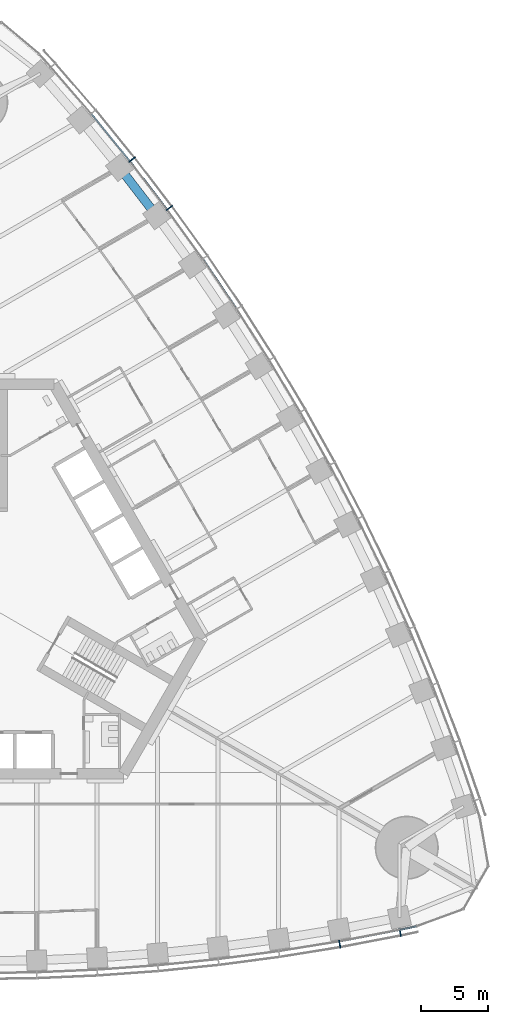
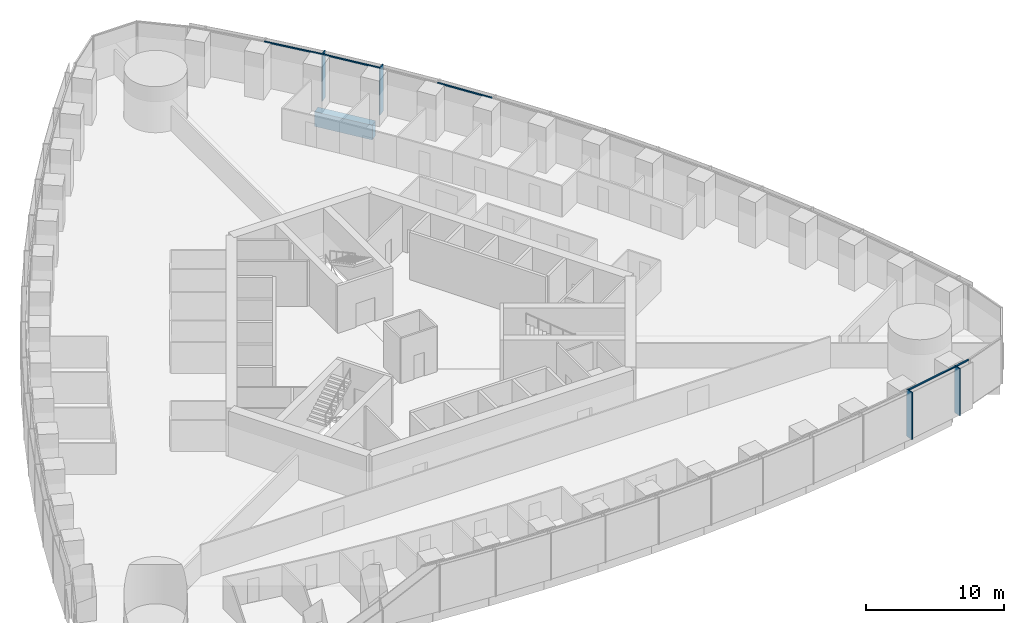
# One storey, part 5 of 18: 9 members, 1 beam, 2 elements without a shape of their own.
"""IFC4 building model written with IfcOpenShell, lengths in metres."""

import ifcopenshell
import ifcopenshell.guid

model = None  # the IFC model being written
_history = None  # IfcOwnerHistory: only IFC2X3 demands one
_inside = {}  # id of a spatial element -> (the spatial element, [elements in it])
_under = {}  # id of a project, library or spatial element -> (it, [spatial elements below it])
_declared = {}  # id of a project -> (the project, [libraries it declares])
_typed = {}  # id of a type object -> (the type object, [elements of that type])
_made_of = {}  # id of a material, layer set ... -> (it, [elements and type objects made of it])


def new_model(schema):
    """Start an empty IFC model of exactly this schema.

    Asked for "IFC4X3", IfcOpenShell would pick the latest addendum, in which some entities
    have other attributes; the version numbers below select the first issue.
    IFC2X3 requires an IfcOwnerHistory on every rooted entity: one is made here for all.
    """
    global model, _history
    if schema == "IFC4X3":
        model = ifcopenshell.file(schema_version=(4, 3, 0, 0))
    else:
        model = ifcopenshell.file(schema=schema)
    _inside.clear()
    _under.clear()
    _declared.clear()
    _typed.clear()
    _made_of.clear()
    _history = None
    if model.schema == "IFC2X3":
        org = make("IfcOrganization", Name="unknown")
        user = make(
            "IfcPersonAndOrganization",
            ThePerson=make("IfcPerson", FamilyName="unknown"),
            TheOrganization=org,
        )
        app = make(
            "IfcApplication",
            ApplicationDeveloper=org,
            Version="unknown",
            ApplicationFullName="unknown",
            ApplicationIdentifier="unknown",
        )
        _history = make(
            "IfcOwnerHistory",
            OwningUser=user,
            OwningApplication=app,
            ChangeAction="ADDED",
            CreationDate=0,
        )
    return model


def make(cls, **values):
    """One entity of the class cls with the attributes given. An attribute that is None is left unset."""
    return model.create_entity(
        cls, **{name: value for name, value in values.items() if value is not None}
    )


def rooted(cls, **values):
    """An entity with a GlobalId (a new one), such as an element, a storey or a relation."""
    return make(cls, GlobalId=ifcopenshell.guid.new(), OwnerHistory=_history, **values)


def si_unit(unit_type, name, prefix=None):
    """IfcSIUnit, for example si_unit("LENGTHUNIT", "METRE", prefix="MILLI")."""
    return make("IfcSIUnit", UnitType=unit_type, Prefix=prefix, Name=name)


def assignment(units):
    """IfcUnitAssignment: the units of a project."""
    return None if units is None else make("IfcUnitAssignment", Units=units)


def point(xyz):
    """IfcCartesianPoint."""
    return None if xyz is None else make("IfcCartesianPoint", Coordinates=xyz)


def direction(xyz):
    """IfcDirection."""
    return None if xyz is None else make("IfcDirection", DirectionRatios=xyz)


def frame(location, z_axis=None, x_axis=None):
    """IfcAxis2Placement3D, a coordinate frame: its origin and axes. An axis left out is left unset."""
    return make(
        "IfcAxis2Placement3D",
        Location=point(location),
        Axis=direction(z_axis),
        RefDirection=direction(x_axis),
    )


def frame_2d(location, x_axis=None):
    """IfcAxis2Placement2D, a coordinate frame in the plane: its origin and x axis."""
    return make(
        "IfcAxis2Placement2D", Location=point(location), RefDirection=direction(x_axis)
    )


def origin():
    """The frame at (0, 0, 0) with its axes left unset."""
    return frame((0.0, 0.0, 0.0))


def origin_2d():
    """The frame at (0, 0) in the plane with its x axis left unset."""
    return frame_2d((0.0, 0.0))


def place(relative_to, where):
    """IfcLocalPlacement: puts the frame where relative to a parent placement (None: the world)."""
    return make(
        "IfcLocalPlacement", PlacementRelTo=relative_to, RelativePlacement=where
    )


def context(
    kind, dimensions, precision=None, world=None, true_north=None, identifier=None
):
    """IfcGeometricRepresentationContext, for example the 3D "Model" context."""
    return make(
        "IfcGeometricRepresentationContext",
        ContextIdentifier=identifier,
        ContextType=kind,
        CoordinateSpaceDimension=dimensions,
        Precision=precision,
        WorldCoordinateSystem=world,
        TrueNorth=true_north,
    )


def subcontext(parent, identifier, kind, view, scale=None):
    """IfcGeometricRepresentationSubContext, for example "Body" below "Model"."""
    return make(
        "IfcGeometricRepresentationSubContext",
        ContextIdentifier=identifier,
        ContextType=kind,
        ParentContext=parent,
        TargetScale=scale,
        TargetView=view,
    )


def project(units=None, contexts=None):
    """IfcProject with its units and contexts."""
    return rooted(
        "IfcProject",
        Name="project",
        RepresentationContexts=contexts,
        UnitsInContext=assignment(units),
    )


def spatial(cls, under=None, at=None, **own):
    """A site, building, storey or space (cls), placed at a placement, below another one or the project."""
    s = rooted(cls, ObjectPlacement=at, **own)
    if under is not None:
        _under.setdefault(under.id(), (under, []))[1].append(s)
    return s


def profile(cls, at=None, kind="AREA", **sizes):
    """A parametric profile (cls). Its sizes go by their IFC names, for example OverallWidth=200.0."""
    return make(cls, ProfileType=kind, Position=at, **sizes)


def rectangle(**sizes):
    """IfcRectangleProfileDef."""
    return profile("IfcRectangleProfileDef", **sizes)


def extrude(swept, where, along, depth):
    """IfcExtrudedAreaSolid: the profile swept, set in the frame where, extruded along a direction by depth."""
    return make(
        "IfcExtrudedAreaSolid",
        SweptArea=swept,
        Position=where,
        ExtrudedDirection=direction(along),
        Depth=depth,
    )


def shape(context_of_items, identifier, shape_type, items):
    """IfcShapeRepresentation: the items that make up one representation, for example the "Body"."""
    return make(
        "IfcShapeRepresentation",
        ContextOfItems=context_of_items,
        RepresentationIdentifier=identifier,
        RepresentationType=shape_type,
        Items=items,
    )


def material(Name=None, Category=None):
    """IfcMaterial."""
    return make("IfcMaterial", Name=Name, Category=Category)


def material_profile(
    of_material, cross_section, Name=None, Category=None, Priority=None
):
    """IfcMaterialProfile: a cross section and its material."""
    return make(
        "IfcMaterialProfile",
        Name=Name,
        Material=of_material,
        Profile=cross_section,
        Priority=Priority,
        Category=Category,
    )


def profile_set(profiles, Name=None, composite=None):
    """IfcMaterialProfileSet."""
    return make(
        "IfcMaterialProfileSet",
        Name=Name,
        MaterialProfiles=profiles,
        CompositeProfile=composite,
    )


def made_of(thing, what):
    """Note that an element or type object is made of a material, layer set ...; save() writes the relation."""
    if what is not None:
        _made_of.setdefault(what.id(), (what, []))[1].append(thing)
    return thing


def type_object(cls, material=None, **own):
    """A type object (cls), such as IfcWallType, which elements share."""
    return made_of(rooted(cls, **own), material)


def element(
    cls,
    number,
    at=None,
    inside=None,
    cuts=None,
    type_object=None,
    material=None,
    context=None,
    identifier="Body",
    shape_type=None,
    held_by="IfcProductDefinitionShape",
    body=None,
    shapes=None,
    **own,
):
    """One element of the class cls, such as IfcWall. Its Tag is "e" and its number.

    at: its placement. inside: the storey or other place that contains it. cuts: it is an
    opening in that element (IfcRelVoidsElement). A single representation is given by context,
    identifier, shape_type and body (its items); several are given by shapes. held_by: the class
    of the entity that holds the representations. save() writes the other relations.
    """
    e = rooted(cls, Tag="e%d" % number, ObjectPlacement=at, **own)
    if body is not None:
        shapes = [shape(context, identifier, shape_type, body)]
    if shapes is not None:
        e.Representation = make(held_by, Representations=shapes)
    if inside is not None:
        _inside.setdefault(inside.id(), (inside, []))[1].append(e)
    if cuts is not None:
        rooted(
            "IfcRelVoidsElement", RelatingBuildingElement=cuts, RelatedOpeningElement=e
        )
    if type_object is not None:
        _typed.setdefault(type_object.id(), (type_object, []))[1].append(e)
    return made_of(e, material)


def aggregate(whole, parts):
    """IfcRelAggregates: a whole, such as a stair, and the parts it consists of."""
    return rooted("IfcRelAggregates", RelatingObject=whole, RelatedObjects=parts)


def save(model, path):
    """Write the relations noted so far, then the file.

    IfcRelAggregates (storeys below a building ...), IfcRelContainedInSpatialStructure (elements
    in a storey), IfcRelDefinesByType, IfcRelAssociatesMaterial and IfcRelDeclares: one each for
    every whole, place, type object, material and project.
    """
    for whole, parts in _under.values():
        aggregate(whole, parts)
    for where, things in _inside.values():
        rooted(
            "IfcRelContainedInSpatialStructure",
            RelatedElements=things,
            RelatingStructure=where,
        )
    for kind, things in _typed.values():
        rooted("IfcRelDefinesByType", RelatedObjects=things, RelatingType=kind)
    for what, things in _made_of.values():
        rooted("IfcRelAssociatesMaterial", RelatedObjects=things, RelatingMaterial=what)
    for by, libraries in _declared.values():
        rooted("IfcRelDeclares", RelatingContext=by, RelatedDefinitions=libraries)
    model.write(path)


model = new_model("IFC4")

# Units and contexts
model_context = context("Model", 3, precision=1e-05, world=origin(), true_north=direction((0.0, 1.0)))
body_context = subcontext(model_context, "Body", "Model", "MODEL_VIEW")
ifc_project = project(units=[si_unit("LENGTHUNIT", "METRE"), si_unit("AREAUNIT", "SQUARE_METRE"), si_unit("VOLUMEUNIT", "CUBIC_METRE"), si_unit("PLANEANGLEUNIT", "RADIAN"), si_unit("MASSUNIT", "GRAM", prefix="KILO")], contexts=[model_context])

# Site, building, storey
site_placement = place(None, origin())
site = spatial("IfcSite", under=ifc_project, at=site_placement, CompositionType="ELEMENT")
building_placement = place(site_placement, origin())
building = spatial("IfcBuilding", under=site, at=building_placement, Name="Trefoil Bronze Tower", CompositionType="ELEMENT")
storey_placement = place(building_placement, frame((0.0, 0.0, 33.300048828125)))
storey = spatial("IfcBuildingStorey", under=building, at=storey_placement, Name="L07", CompositionType="ELEMENT", Elevation=33.300048828125)

# Curtain wall, members
ifc_material_1 = material(Name="Tinted solar-control glass", Category="glass")
curtain_wall_type = type_object("IfcCurtainWallType", Name="Bronze office curtain wall", PredefinedType="USERDEFINED", material=ifc_material_1)
curtain_wall_1_placement = place(storey_placement, origin())
curtain_wall_1 = element("IfcCurtainWall", 1, at=curtain_wall_1_placement, inside=storey, type_object=curtain_wall_type, Name="CW-A L07 F1", ObjectType="CURTAIN WALL", PredefinedType="USERDEFINED")
ifc_material_2 = material(Name="Bronze-finish aluminium", Category="aluminium")
ifc_material_profile_1 = material_profile(ifc_material_2, rectangle(XDim=0.60009765625, YDim=0.080078125, at=origin_2d()), Name="CW-A mullion")
ifc_profile_set_1 = profile_set([ifc_material_profile_1], Name="Bronze-finish aluminium")
member_type_1 = type_object("IfcMemberType", Name="Bronze office curtain wall mullion", PredefinedType="MULLION", material=ifc_profile_set_1)
member_1_placement = place(storey_placement, frame((27.05224609375, -25.67578125, 0.0), z_axis=(0.0, 0.0, 1.0), x_axis=(-0.174131146426, 0.984722470468, 0.0)))
member_1 = element("IfcMember", 2, at=member_1_placement, type_object=member_type_1, Name="CW-A L07 F1 mullion 15", PredefinedType="MULLION", context=body_context, shape_type="SweptSolid", body=[
    extrude(rectangle(XDim=0.60009765625, YDim=0.080078125, at=origin_2d()), origin(), (0.0, 0.0, 1.0), 4.179931640625),
])
member_2_placement = place(storey_placement, frame((31.559326171875, -24.81005859375, 0.0), z_axis=(0.0, 0.0, 1.0), x_axis=(-0.197910006829, 0.98022019424, 0.0)))
member_2 = element("IfcMember", 3, at=member_2_placement, type_object=member_type_1, Name="CW-A L07 F1 mullion 16", PredefinedType="MULLION", context=body_context, shape_type="SweptSolid", body=[
    extrude(rectangle(XDim=0.60009765625, YDim=0.080078125, at=origin_2d()), origin(), (0.0, 0.0, 1.0), 4.179931640625),
])

curtain_wall_2_placement = place(storey_placement, origin())
curtain_wall_2 = element("IfcCurtainWall", 4, at=curtain_wall_2_placement, inside=storey, type_object=curtain_wall_type, Name="CW-A L07 F2", ObjectType="CURTAIN WALL", PredefinedType="USERDEFINED")
member_3_placement = place(storey_placement, frame((14.364013671875, 29.117919921875, 0.0), z_axis=(0.0, 0.0, 1.0), x_axis=(-0.802126748469, -0.59715381552, 0.0)))
member_3 = element("IfcMember", 5, at=member_3_placement, type_object=member_type_1, Name="CW-A L07 F2 mullion 13", PredefinedType="MULLION", context=body_context, shape_type="SweptSolid", body=[
    extrude(rectangle(XDim=0.60009765625, YDim=0.080078125, at=origin_2d()), origin(), (0.0, 0.0, 1.0), 4.179931640625),
])
member_4_placement = place(storey_placement, frame((11.595458984375, 32.7255859375, 0.0), z_axis=(0.0, 0.0, 1.0), x_axis=(-0.784304615744, -0.620375910011, 0.0)))
member_4 = element("IfcMember", 6, at=member_4_placement, type_object=member_type_1, Name="CW-A L07 F2 mullion 14", PredefinedType="MULLION", context=body_context, shape_type="SweptSolid", body=[
    extrude(rectangle(XDim=0.60009765625, YDim=0.080078125, at=origin_2d()), origin(), (0.0, 0.0, 1.0), 4.179931640625),
])

# Member
ifc_material_3 = material(Name="Bronze-finish aluminium", Category="aluminium")
ifc_material_profile_2 = material_profile(ifc_material_3, rectangle(XDim=0.1201171875, YDim=0.10009765625, at=origin_2d()), Name="CW-A transom")
ifc_profile_set_2 = profile_set([ifc_material_profile_2], Name="Bronze-finish aluminium")
member_type_2 = type_object("IfcMemberType", Name="Bronze office curtain wall transom", PredefinedType="USERDEFINED", material=ifc_profile_set_2)
member_5_placement = place(storey_placement, frame((27.05810546875, -25.470947265625, 4.1298828125), z_axis=(0.982053603997, 0.188602011855, 0.0), x_axis=(-0.188602011855, 0.982053603997, 0.0)))
member_5 = element("IfcMember", 7, at=member_5_placement, type_object=member_type_2, Name="CW-A L07 F1 transom 15", ObjectType="TRANSOM", PredefinedType="USERDEFINED", context=body_context, shape_type="SweptSolid", body=[
    extrude(rectangle(XDim=0.1201171875, YDim=0.10009765625, at=origin_2d()), origin(), (0.0, 0.0, 1.0), 4.502197265625),
])

member_6_placement = place(storey_placement, frame((31.559814453125, -24.605712890625, 4.1298828125), z_axis=(0.978266371807, 0.207352129942, 0.0), x_axis=(-0.207352129942, 0.978266371807, 0.0)))
member_6 = element("IfcMember", 8, at=member_6_placement, type_object=member_type_2, Name="CW-A L07 F1 transom 16", ObjectType="TRANSOM", PredefinedType="USERDEFINED", context=body_context, shape_type="SweptSolid", body=[
    extrude(rectangle(XDim=0.1201171875, YDim=0.10009765625, at=origin_2d()), origin(), (0.0, 0.0, 1.0), 1.21044921875),
])

aggregate(curtain_wall_1, [member_1, member_2, member_5, member_6])

member_7_placement = place(storey_placement, frame((19.364990234375, 21.627197265625, 4.1298828125), z_axis=(-0.561508153923, 0.827471203775, 0.0), x_axis=(-0.827471203775, -0.561508153923, 0.0)))
member_7 = element("IfcMember", 9, at=member_7_placement, type_object=member_type_2, Name="CW-A L07 F2 transom 11", ObjectType="TRANSOM", PredefinedType="USERDEFINED", context=body_context, shape_type="SweptSolid", body=[
    extrude(rectangle(XDim=0.1201171875, YDim=0.10009765625, at=origin_2d()), origin(), (0.0, 0.0, 1.0), 4.431884765625),
])

member_8_placement = place(storey_placement, frame((14.178466796875, 29.031494140625, 4.1298828125), z_axis=(-0.608829203216, 0.793301330713, 0.0), x_axis=(-0.793301330713, -0.608829203216, 0.0)))
member_8 = element("IfcMember", 10, at=member_8_placement, type_object=member_type_2, Name="CW-A L07 F2 transom 13", ObjectType="TRANSOM", PredefinedType="USERDEFINED", context=body_context, shape_type="SweptSolid", body=[
    extrude(rectangle(XDim=0.1201171875, YDim=0.10009765625, at=origin_2d()), origin(), (0.0, 0.0, 1.0), 4.458740234375),
])

member_9_placement = place(storey_placement, frame((11.412353515625, 32.6337890625, 4.1298828125), z_axis=(-0.631835540201, 0.775102477185, 0.0), x_axis=(-0.775102477185, -0.631835540201, 0.0)))
member_9 = element("IfcMember", 11, at=member_9_placement, type_object=member_type_2, Name="CW-A L07 F2 transom 14", ObjectType="TRANSOM", PredefinedType="USERDEFINED", context=body_context, shape_type="SweptSolid", body=[
    extrude(rectangle(XDim=0.1201171875, YDim=0.10009765625, at=origin_2d()), origin(), (0.0, 0.0, 1.0), 4.478271484375),
])

aggregate(curtain_wall_2, [member_3, member_4, member_7, member_8, member_9])

# Beam
ifc_material_4 = material(Name="Concrete B80", Category="concrete")
ifc_material_profile_3 = material_profile(ifc_material_4, rectangle(XDim=0.64990234375, YDim=1.300048828125, at=origin_2d()), Name="RC 650x1300")
ifc_profile_set_3 = profile_set([ifc_material_profile_3], Name="Concrete B80")
beam_type = type_object("IfcBeamType", Name="Spandrel beam RC 650x1300", PredefinedType="SPANDREL", material=ifc_profile_set_3)
beam_placement = place(storey_placement, frame((13.42578125, 28.5361328125, -0.85009765625), z_axis=(-0.609338992146, 0.792909826305, 0.0), x_axis=(-0.792909826305, -0.609338992146, 0.0)))
element("IfcBeam", 12, at=beam_placement, inside=storey, type_object=beam_type, Name="Spandrel F2.13 L07", PredefinedType="SPANDREL", context=body_context, shape_type="SweptSolid", body=[
    extrude(rectangle(XDim=0.64990234375, YDim=1.300048828125, at=origin_2d()), origin(), (0.0, 0.0, 1.0), 4.5390625),
])

save(model, "model.ifc")
